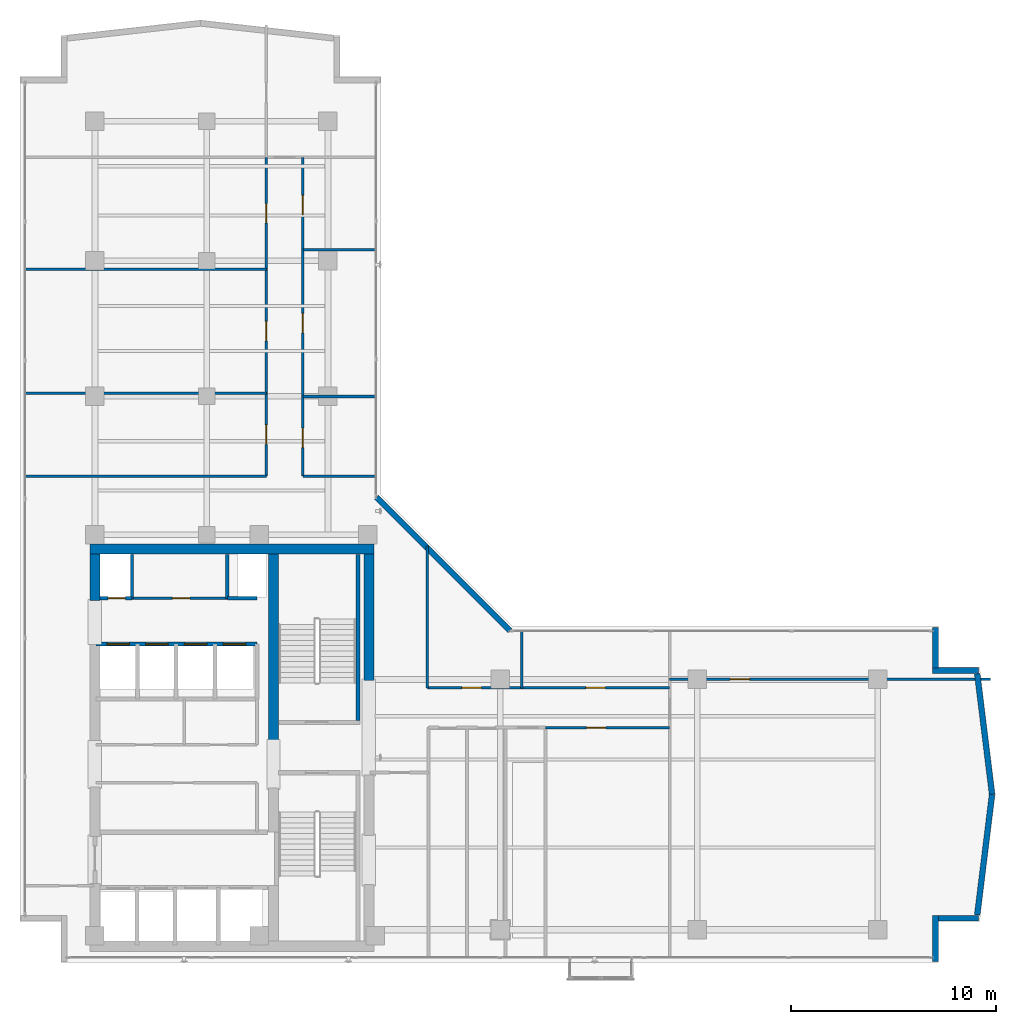
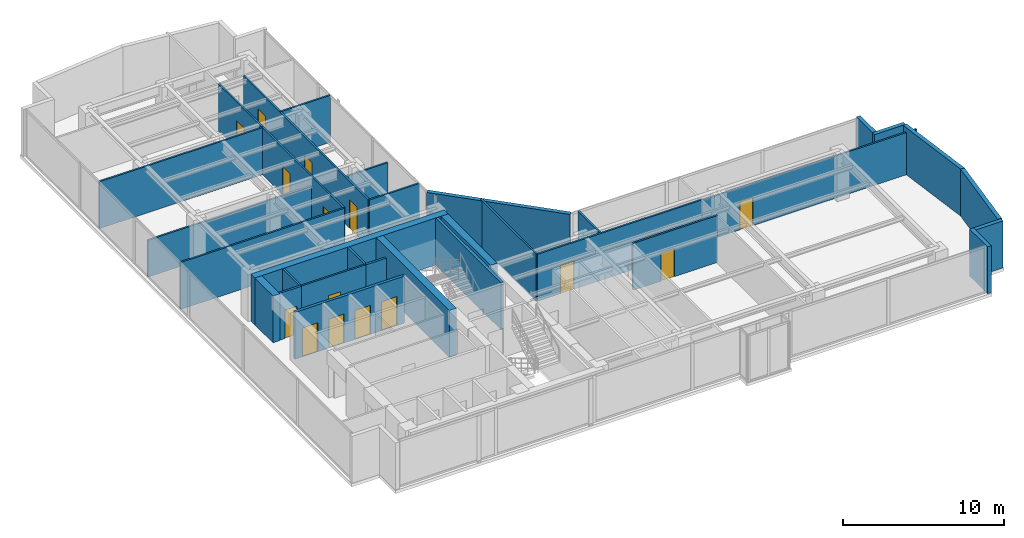
# One storey, part 18 of 22: 31 walls, 16 doors, 16 openings.
"""IFC4 building model written with IfcOpenShell, lengths in metres."""

from ifc_helpers import new_model, si_unit, direction, frame, frame_2d, origin, place, context, subcontext, project, spatial, rectangle, extrude, material, layer, layer_set, type_object, element, fill, save


model = new_model("IFC4")

# Units and contexts
model_context = context("Model", 3, precision=1e-05, world=origin(), true_north=direction((0.0, 1.0)))
body_context = subcontext(model_context, "Body", "Model", "MODEL_VIEW")
ifc_project = project(units=[si_unit("LENGTHUNIT", "METRE"), si_unit("AREAUNIT", "SQUARE_METRE"), si_unit("VOLUMEUNIT", "CUBIC_METRE"), si_unit("PLANEANGLEUNIT", "RADIAN"), si_unit("MASSUNIT", "GRAM", prefix="KILO")], contexts=[model_context])

# Site, building, storey
site_placement = place(None, origin())
site = spatial("IfcSite", under=ifc_project, at=site_placement, CompositionType="ELEMENT")
building_placement = place(site_placement, origin())
building = spatial("IfcBuilding", under=site, at=building_placement, Name="Kolvaren Waterfront Exchange", CompositionType="ELEMENT")
storey_placement = place(building_placement, frame((0.0, 0.0, 266.60009765625)))
storey = spatial("IfcBuildingStorey", under=building, at=storey_placement, Name="L68", CompositionType="ELEMENT", Elevation=266.60009765625)

# Walls
ifc_material_1 = material(Name="Precast concrete C40/50", Category="concrete")
ifc_layer_1 = layer(ifc_material_1, 0.280029296875, Name="Precast concrete C40/50")
ifc_layer_set_1 = layer_set([ifc_layer_1], Name="Precast concrete C40/50")
wall_type_1 = type_object("IfcWallType", Name="ARC-EXT-TERR-280", PredefinedType="SOLIDWALL", material=ifc_layer_set_1)
wall_1_placement = place(storey_placement, frame((48.4033203125, 3.659912109375, 0.0), z_axis=(0.0, 0.0, 1.0), x_axis=(0.0, 1.0, 0.0)))
element("IfcWall", 1, at=wall_1_placement, inside=storey, type_object=wall_type_1, Name="L68 notched corner spandrel pier SE-A", PredefinedType="SOLIDWALL", context=body_context, shape_type="SweptSolid", body=[
    extrude(rectangle(XDim=2.239990234375, YDim=0.280029296875, at=frame_2d((1.1201171875, 0.0))), origin(), (0.0, 0.0, 1.0), 3.559814453125),
])
wall_2_placement = place(storey_placement, frame((48.543212890625, 5.760009765625, 0.0), z_axis=(0.0, 0.0, 1.0), x_axis=(1.0, 0.0, 0.0)))
element("IfcWall", 2, at=wall_2_placement, inside=storey, type_object=wall_type_1, Name="L68 notched corner spandrel pier SE-B", PredefinedType="SOLIDWALL", context=body_context, shape_type="SweptSolid", body=[
    extrude(rectangle(XDim=1.9599609375, YDim=0.280029296875, at=frame_2d((0.97998046875, 0.0))), origin(), (0.0, 0.0, 1.0), 3.559814453125),
])
wall_3_placement = place(storey_placement, frame((48.4033203125, 17.95458984375, 0.0), z_axis=(0.0, 0.0, 1.0), x_axis=(0.0, 1.0, 0.0)))
element("IfcWall", 3, at=wall_3_placement, inside=storey, type_object=wall_type_1, Name="L68 notched corner spandrel pier ENE-A", PredefinedType="SOLIDWALL", context=body_context, shape_type="SweptSolid", body=[
    extrude(rectangle(XDim=1.974853515625, YDim=0.280029296875, at=frame_2d((0.9873046875, 0.0))), origin(), (0.0, 0.0, 1.0), 3.559814453125),
])
wall_4_placement = place(storey_placement, frame((48.26318359375, 17.82958984375, 0.0), z_axis=(0.0, 0.0, 1.0), x_axis=(1.0, 0.0, 0.0)))
element("IfcWall", 4, at=wall_4_placement, inside=storey, type_object=wall_type_1, Name="L68 notched corner spandrel pier ENE-B", PredefinedType="SOLIDWALL", context=body_context, shape_type="SweptSolid", body=[
    extrude(rectangle(XDim=2.239990234375, YDim=0.280029296875, at=frame_2d((1.1201171875, 0.0))), origin(), (0.0, 0.0, 1.0), 3.559814453125),
])
wall_5_placement = place(storey_placement, frame((27.674560546875, 19.764404296875, 0.0), z_axis=(0.0, 0.0, 1.0), x_axis=(-0.707106781187, 0.707106781187, 0.0)))
element("IfcWall", 5, at=wall_5_placement, inside=storey, type_object=wall_type_1, Name="L68 notched corner spandrel pier ELBOW", PredefinedType="SOLIDWALL", context=body_context, shape_type="SweptSolid", body=[
    extrude(rectangle(XDim=9.20654296875, YDim=0.280029296875, at=frame_2d((4.603271484375, 0.0))), origin(), (0.0, 0.0, 1.0), 3.559814453125),
])
wall_6_placement = place(storey_placement, frame((50.441162109375, 5.917236328125, 0.0), z_axis=(0.0, 0.0, 1.0), x_axis=(0.122283913405, 0.992495160957, 0.0)))
element("IfcWall", 6, at=wall_6_placement, inside=storey, type_object=wall_type_1, Name="L68 east prow faceted facade wall 1", PredefinedType="SOLIDWALL", context=body_context, shape_type="SweptSolid", body=[
    extrude(rectangle(XDim=5.921630859375, YDim=0.280029296875, at=frame_2d((2.9609375, 0.0))), origin(), (0.0, 0.0, 1.0), 3.559814453125),
])
wall_7_placement = place(storey_placement, frame((51.165283203125, 11.795166015625, 0.0), z_axis=(0.0, 0.0, 1.0), x_axis=(-0.122288917362, 0.992494544413, 0.0)))
element("IfcWall", 7, at=wall_7_placement, inside=storey, type_object=wall_type_1, Name="L68 east prow faceted facade wall 2", PredefinedType="SOLIDWALL", context=body_context, shape_type="SweptSolid", body=[
    extrude(rectangle(XDim=5.92138671875, YDim=0.280029296875, at=frame_2d((2.960693359375, 0.0))), origin(), (0.0, 0.0, 1.0), 3.559814453125),
])

# Wall, opening, door
ifc_material_2 = material(Name="Acoustic gypsum steel stud", Category="steel")
ifc_layer_2 = layer(ifc_material_2, 0.125, Name="Acoustic gypsum steel stud")
ifc_layer_set_2 = layer_set([ifc_layer_2], Name="Acoustic gypsum steel stud")
wall_type_2 = type_object("IfcWallType", Name="ARC-PART-125", PredefinedType="PARTITIONING", material=ifc_layer_set_2)
wall_8_placement = place(storey_placement, frame((9.25, 21.35009765625, 0.0), z_axis=(0.0, 0.0, 1.0), x_axis=(1.0, 0.0, 0.0)))
wall_8 = element("IfcWall", 8, at=wall_8_placement, inside=storey, type_object=wall_type_2, Name="L68 interior wall PW-L68-SVC-HI-S", PredefinedType="PARTITIONING", context=body_context, shape_type="SweptSolid", body=[
    extrude(rectangle(XDim=4.64990234375, YDim=0.125, at=frame_2d((2.324951171875, 0.0))), origin(), (0.0, 0.0, 1.0), 3.559814453125),
])
opening_1_placement = place(wall_8_placement, frame((1.971435546875, 0.0, 0.0)))
opening_1 = element("IfcOpeningElement", 9, at=opening_1_placement, cuts=wall_8, Name="Opening D01", PredefinedType="OPENING", context=body_context, shape_type="SweptSolid", body=[
    extrude(rectangle(XDim=0.85009765625, YDim=2.14990234375, at=frame_2d((0.425048828125, 1.074951171875))), frame((0.0, 0.072509765625, 0.0), z_axis=(0.0, -1.0, 0.0), x_axis=(1.0, 0.0, 0.0)), (0.0, 0.0, 1.0), 0.14501953125),
])
ifc_material_3 = material(Name="Oak veneer timber leaf", Category="wood")
door_type_1 = type_object("IfcDoorType", Name="ARC-DR-900", OperationType="NOTDEFINED", PredefinedType="DOOR", material=ifc_material_3)
door_1_placement = place(opening_1_placement, origin())
door_1 = element("IfcDoor", 10, at=door_1_placement, inside=storey, type_object=door_type_1, Name="L68 door DR-L68-SVC-DR-1 (D01)", OperationType="SINGLE_SWING_RIGHT", OverallHeight=2.14990234375, OverallWidth=0.85009765625, PredefinedType="DOOR", context=body_context, shape_type="SweptSolid", body=[
    extrude(rectangle(XDim=0.85009765625, YDim=2.14990234375, at=frame_2d((0.425048828125, 1.074951171875))), frame((0.0, 0.02490234375, 0.0), z_axis=(0.0, -1.0, 0.0), x_axis=(1.0, 0.0, 0.0)), (0.0, 0.0, 1.0), 0.050048828125),
])
fill(opening_1, door_1)

wall_9_placement = place(storey_placement, frame((29.39990234375, 15.050048828125, 0.0), z_axis=(0.0, 0.0, 1.0), x_axis=(1.0, 0.0, 0.0)))
wall_9 = element("IfcWall", 11, at=wall_9_placement, inside=storey, type_object=wall_type_2, Name="L68 interior wall PW-L68-ES-CORR", PredefinedType="PARTITIONING", context=body_context, shape_type="SweptSolid", body=[
    extrude(rectangle(XDim=6.050048828125, YDim=0.125, at=frame_2d((3.02490234375, 0.0))), origin(), (0.0, 0.0, 1.0), 3.559814453125),
])
opening_2_placement = place(wall_9_placement, frame((2.002197265625, 0.0, 0.0)))
opening_2 = element("IfcOpeningElement", 12, at=opening_2_placement, cuts=wall_9, Name="Opening D02", PredefinedType="OPENING", context=body_context, shape_type="SweptSolid", body=[
    extrude(rectangle(XDim=0.949951171875, YDim=2.14990234375, at=frame_2d((0.47509765625, 1.074951171875))), frame((0.0, 0.072509765625, 0.0), z_axis=(0.0, -1.0, 0.0), x_axis=(1.0, 0.0, 0.0)), (0.0, 0.0, 1.0), 0.14501953125),
])
ifc_material_4 = material(Name="Oak veneer acoustic timber", Category="wood")
door_type_2 = type_object("IfcDoorType", Name="ARC-DR-950", OperationType="NOTDEFINED", PredefinedType="DOOR", material=ifc_material_4)
door_2_placement = place(opening_2_placement, origin())
door_2 = element("IfcDoor", 13, at=door_2_placement, inside=storey, type_object=door_type_2, Name="L68 door DR-L68-ES-D-1 (D02)", OperationType="SINGLE_SWING_RIGHT", OverallHeight=2.14990234375, OverallWidth=0.949951171875, PredefinedType="DOOR", context=body_context, shape_type="SweptSolid", body=[
    extrude(rectangle(XDim=0.949951171875, YDim=2.14990234375, at=frame_2d((0.47509765625, 1.074951171875))), frame((0.0, 0.02490234375, 0.0), z_axis=(0.0, -1.0, 0.0), x_axis=(1.0, 0.0, 0.0)), (0.0, 0.0, 1.0), 0.050048828125),
])
fill(opening_2, door_2)

wall_10_placement = place(storey_placement, frame((35.449951171875, 17.39990234375, 0.0), z_axis=(0.0, 0.0, 1.0), x_axis=(1.0, 0.0, 0.0)))
wall_10 = element("IfcWall", 14, at=wall_10_placement, inside=storey, type_object=wall_type_2, Name="L68 interior wall PW-L68-ETIP-MID", PredefinedType="PARTITIONING", context=body_context, shape_type="SweptSolid", body=[
    extrude(rectangle(XDim=15.636474609375, YDim=0.125, at=frame_2d((7.818359375, 0.0))), origin(), (0.0, 0.0, 1.0), 3.199951171875),
])
opening_3_placement = place(wall_10_placement, frame((2.949951171875, 0.0, 0.0)))
opening_3 = element("IfcOpeningElement", 15, at=opening_3_placement, cuts=wall_10, Name="Opening D02", PredefinedType="OPENING", context=body_context, shape_type="SweptSolid", body=[
    extrude(rectangle(XDim=0.949951171875, YDim=2.14990234375, at=frame_2d((0.47509765625, 1.074951171875))), frame((0.0, 0.072509765625, 0.0), z_axis=(0.0, -1.0, 0.0), x_axis=(1.0, 0.0, 0.0)), (0.0, 0.0, 1.0), 0.14501953125),
])
door_3_placement = place(opening_3_placement, origin())
door_3 = element("IfcDoor", 16, at=door_3_placement, inside=storey, type_object=door_type_2, Name="L68 door DR-L68-ETIP2-D (D02)", OperationType="SINGLE_SWING_RIGHT", OverallHeight=2.14990234375, OverallWidth=0.949951171875, PredefinedType="DOOR", context=body_context, shape_type="SweptSolid", body=[
    extrude(rectangle(XDim=0.949951171875, YDim=2.14990234375, at=frame_2d((0.47509765625, 1.074951171875))), frame((0.0, 0.02490234375, 0.0), z_axis=(0.0, -1.0, 0.0), x_axis=(1.0, 0.0, 0.0)), (0.0, 0.0, 1.0), 0.050048828125),
])
fill(opening_3, door_3)

# Wall
wall_11_placement = place(storey_placement, frame((23.64990234375, 16.989990234375, 0.0), z_axis=(0.0, 0.0, 1.0), x_axis=(0.0, 1.0, 0.0)))
element("IfcWall", 17, at=wall_11_placement, inside=storey, type_object=wall_type_2, Name="L68 interior wall PW-L68-EN-W0", PredefinedType="PARTITIONING", context=body_context, shape_type="SweptSolid", body=[
    extrude(rectangle(XDim=6.89892578125, YDim=0.125, at=frame_2d((3.449462890625, 0.0))), origin(), (0.0, 0.0, 1.0), 3.559814453125),
])

# Wall, openings, doors
wall_12_placement = place(storey_placement, frame((23.64990234375, 16.989990234375, 0.0), z_axis=(0.0, 0.0, 1.0), x_axis=(1.0, 0.0, 0.0)))
wall_12 = element("IfcWall", 18, at=wall_12_placement, inside=storey, type_object=wall_type_2, Name="L68 interior wall PW-L68-EN-CORR", PredefinedType="PARTITIONING", context=body_context, shape_type="SweptSolid", body=[
    extrude(rectangle(XDim=11.800048828125, YDim=0.125, at=frame_2d((5.89990234375, 0.0))), origin(), (0.0, 0.0, 1.0), 3.559814453125),
])
opening_4_placement = place(wall_12_placement, frame((1.6826171875, 0.0, 0.0)))
opening_4 = element("IfcOpeningElement", 19, at=opening_4_placement, cuts=wall_12, Name="Opening D02", PredefinedType="OPENING", context=body_context, shape_type="SweptSolid", body=[
    extrude(rectangle(XDim=0.949951171875, YDim=2.14990234375, at=frame_2d((0.47509765625, 1.074951171875))), frame((0.0, 0.072509765625, 0.0), z_axis=(0.0, -1.0, 0.0), x_axis=(1.0, 0.0, 0.0)), (0.0, 0.0, 1.0), 0.14501953125),
])
opening_5_placement = place(wall_12_placement, frame((7.72509765625, 0.0, 0.0)))
opening_5 = element("IfcOpeningElement", 20, at=opening_5_placement, cuts=wall_12, Name="Opening D02", PredefinedType="OPENING", context=body_context, shape_type="SweptSolid", body=[
    extrude(rectangle(XDim=0.949951171875, YDim=2.14990234375, at=frame_2d((0.47509765625, 1.074951171875))), frame((0.0, 0.072509765625, 0.0), z_axis=(0.0, -1.0, 0.0), x_axis=(1.0, 0.0, 0.0)), (0.0, 0.0, 1.0), 0.14501953125),
])
door_4_placement = place(opening_4_placement, origin())
door_4 = element("IfcDoor", 21, at=door_4_placement, inside=storey, type_object=door_type_2, Name="L68 door DR-L68-EN-D-1 (D02)", OperationType="SINGLE_SWING_LEFT", OverallHeight=2.14990234375, OverallWidth=0.949951171875, PredefinedType="DOOR", context=body_context, shape_type="SweptSolid", body=[
    extrude(rectangle(XDim=0.949951171875, YDim=2.14990234375, at=frame_2d((0.47509765625, 1.074951171875))), frame((0.0, 0.02490234375, 0.0), z_axis=(0.0, -1.0, 0.0), x_axis=(1.0, 0.0, 0.0)), (0.0, 0.0, 1.0), 0.050048828125),
])
fill(opening_4, door_4)
door_5_placement = place(opening_5_placement, origin())
door_5 = element("IfcDoor", 22, at=door_5_placement, inside=storey, type_object=door_type_2, Name="L68 door DR-L68-EN-D-2 (D02)", OperationType="SINGLE_SWING_RIGHT", OverallHeight=2.14990234375, OverallWidth=0.949951171875, PredefinedType="DOOR", context=body_context, shape_type="SweptSolid", body=[
    extrude(rectangle(XDim=0.949951171875, YDim=2.14990234375, at=frame_2d((0.47509765625, 1.074951171875))), frame((0.0, 0.02490234375, 0.0), z_axis=(0.0, -1.0, 0.0), x_axis=(1.0, 0.0, 0.0)), (0.0, 0.0, 1.0), 0.050048828125),
])
fill(opening_5, door_5)

# Walls
wall_13_placement = place(storey_placement, frame((28.25, 16.989990234375, 0.0), z_axis=(0.0, 0.0, 1.0), x_axis=(0.0, 1.0, 0.0)))
element("IfcWall", 23, at=wall_13_placement, inside=storey, type_object=wall_type_2, Name="L68 interior wall PW-L68-EN-DIV-1", PredefinedType="PARTITIONING", context=body_context, shape_type="SweptSolid", body=[
    extrude(rectangle(XDim=2.77001953125, YDim=0.125, at=frame_2d((1.385009765625, 0.0))), origin(), (0.0, 0.0, 1.0), 3.559814453125),
])
wall_14_placement = place(storey_placement, frame((4.0400390625, 27.300048828125, 0.0), z_axis=(0.0, 0.0, 1.0), x_axis=(1.0, 0.0, 0.0)))
element("IfcWall", 24, at=wall_14_placement, inside=storey, type_object=wall_type_2, Name="L68 interior wall PW-L68-NW-S0", PredefinedType="PARTITIONING", context=body_context, shape_type="SweptSolid", body=[
    extrude(rectangle(XDim=11.760009765625, YDim=0.125, at=frame_2d((5.8798828125, 0.0))), origin(), (0.0, 0.0, 1.0), 3.559814453125),
])

# Wall, openings, doors
wall_15_placement = place(storey_placement, frame((15.800048828125, 27.300048828125, 0.0), z_axis=(0.0, 0.0, 1.0), x_axis=(0.0, 1.0, 0.0)))
wall_15 = element("IfcWall", 25, at=wall_15_placement, inside=storey, type_object=wall_type_2, Name="L68 interior wall PW-L68-NW-CORR", PredefinedType="PARTITIONING", context=body_context, shape_type="SweptSolid", body=[
    extrude(rectangle(XDim=15.530029296875, YDim=0.125, at=frame_2d((7.76513671875, 0.0))), origin(), (0.0, 0.0, 1.0), 3.559814453125),
])
opening_6_placement = place(wall_15_placement, frame((1.544921875, 0.0, 0.0)))
opening_6 = element("IfcOpeningElement", 26, at=opening_6_placement, cuts=wall_15, Name="Opening D02", PredefinedType="OPENING", context=body_context, shape_type="SweptSolid", body=[
    extrude(rectangle(XDim=0.949951171875, YDim=2.14990234375, at=frame_2d((0.47509765625, 1.074951171875))), frame((0.0, 0.072509765625, 0.0), z_axis=(0.0, -1.0, 0.0), x_axis=(1.0, 0.0, 0.0)), (0.0, 0.0, 1.0), 0.14501953125),
])
opening_7_placement = place(wall_15_placement, frame((6.590087890625, 0.0, 0.0)))
opening_7 = element("IfcOpeningElement", 27, at=opening_7_placement, cuts=wall_15, Name="Opening D02", PredefinedType="OPENING", context=body_context, shape_type="SweptSolid", body=[
    extrude(rectangle(XDim=0.949951171875, YDim=2.14990234375, at=frame_2d((0.47509765625, 1.074951171875))), frame((0.0, 0.072509765625, 0.0), z_axis=(0.0, -1.0, 0.0), x_axis=(1.0, 0.0, 0.0)), (0.0, 0.0, 1.0), 0.14501953125),
])
opening_8_placement = place(wall_15_placement, frame((12.3349609375, 0.0, 0.0)))
opening_8 = element("IfcOpeningElement", 28, at=opening_8_placement, cuts=wall_15, Name="Opening D02", PredefinedType="OPENING", context=body_context, shape_type="SweptSolid", body=[
    extrude(rectangle(XDim=0.949951171875, YDim=2.14990234375, at=frame_2d((0.47509765625, 1.074951171875))), frame((0.0, 0.072509765625, 0.0), z_axis=(0.0, -1.0, 0.0), x_axis=(1.0, 0.0, 0.0)), (0.0, 0.0, 1.0), 0.14501953125),
])
door_6_placement = place(opening_6_placement, origin())
door_6 = element("IfcDoor", 29, at=door_6_placement, inside=storey, type_object=door_type_2, Name="L68 door DR-L68-NW-D-1 (D02)", OperationType="SINGLE_SWING_LEFT", OverallHeight=2.14990234375, OverallWidth=0.949951171875, PredefinedType="DOOR", context=body_context, shape_type="SweptSolid", body=[
    extrude(rectangle(XDim=0.949951171875, YDim=2.14990234375, at=frame_2d((0.47509765625, 1.074951171875))), frame((0.0, 0.02490234375, 0.0), z_axis=(0.0, -1.0, 0.0), x_axis=(1.0, 0.0, 0.0)), (0.0, 0.0, 1.0), 0.050048828125),
])
fill(opening_6, door_6)
door_7_placement = place(opening_7_placement, origin())
door_7 = element("IfcDoor", 30, at=door_7_placement, inside=storey, type_object=door_type_2, Name="L68 door DR-L68-NW-D-2 (D02)", OperationType="SINGLE_SWING_RIGHT", OverallHeight=2.14990234375, OverallWidth=0.949951171875, PredefinedType="DOOR", context=body_context, shape_type="SweptSolid", body=[
    extrude(rectangle(XDim=0.949951171875, YDim=2.14990234375, at=frame_2d((0.47509765625, 1.074951171875))), frame((0.0, 0.02490234375, 0.0), z_axis=(0.0, -1.0, 0.0), x_axis=(1.0, 0.0, 0.0)), (0.0, 0.0, 1.0), 0.050048828125),
])
fill(opening_7, door_7)
door_8_placement = place(opening_8_placement, origin())
door_8 = element("IfcDoor", 31, at=door_8_placement, inside=storey, type_object=door_type_2, Name="L68 door DR-L68-NW-D-3 (D02)", OperationType="SINGLE_SWING_LEFT", OverallHeight=2.14990234375, OverallWidth=0.949951171875, PredefinedType="DOOR", context=body_context, shape_type="SweptSolid", body=[
    extrude(rectangle(XDim=0.949951171875, YDim=2.14990234375, at=frame_2d((0.47509765625, 1.074951171875))), frame((0.0, 0.02490234375, 0.0), z_axis=(0.0, -1.0, 0.0), x_axis=(1.0, 0.0, 0.0)), (0.0, 0.0, 1.0), 0.050048828125),
])
fill(opening_8, door_8)

# Walls
wall_16_placement = place(storey_placement, frame((4.0400390625, 31.340087890625, 0.0), z_axis=(0.0, 0.0, 1.0), x_axis=(1.0, 0.0, 0.0)))
element("IfcWall", 32, at=wall_16_placement, inside=storey, type_object=wall_type_2, Name="L68 interior wall PW-L68-NW-DIV-1", PredefinedType="PARTITIONING", context=body_context, shape_type="SweptSolid", body=[
    extrude(rectangle(XDim=11.760009765625, YDim=0.125, at=frame_2d((5.8798828125, 0.0))), origin(), (0.0, 0.0, 1.0), 2.7978515625),
])
wall_17_placement = place(storey_placement, frame((4.0400390625, 37.389892578125, 0.0), z_axis=(0.0, 0.0, 1.0), x_axis=(1.0, 0.0, 0.0)))
element("IfcWall", 33, at=wall_17_placement, inside=storey, type_object=wall_type_2, Name="L68 interior wall PW-L68-NW-DIV-2", PredefinedType="PARTITIONING", context=body_context, shape_type="SweptSolid", body=[
    extrude(rectangle(XDim=11.760009765625, YDim=0.125, at=frame_2d((5.8798828125, 0.0))), origin(), (0.0, 0.0, 1.0), 3.559814453125),
])
wall_18_placement = place(storey_placement, frame((17.580078125, 27.300048828125, 0.0), z_axis=(0.0, 0.0, 1.0), x_axis=(1.0, 0.0, 0.0)))
element("IfcWall", 34, at=wall_18_placement, inside=storey, type_object=wall_type_2, Name="L68 interior wall PW-L68-NE-S0", PredefinedType="PARTITIONING", context=body_context, shape_type="SweptSolid", body=[
    extrude(rectangle(XDim=3.579833984375, YDim=0.125, at=frame_2d((1.7900390625, 0.0))), origin(), (0.0, 0.0, 1.0), 3.559814453125),
])

# Wall, openings, doors
wall_19_placement = place(storey_placement, frame((17.580078125, 27.300048828125, 0.0), z_axis=(0.0, 0.0, 1.0), x_axis=(0.0, 1.0, 0.0)))
wall_19 = element("IfcWall", 35, at=wall_19_placement, inside=storey, type_object=wall_type_2, Name="L68 interior wall PW-L68-NE-CORR", PredefinedType="PARTITIONING", context=body_context, shape_type="SweptSolid", body=[
    extrude(rectangle(XDim=15.530029296875, YDim=0.125, at=frame_2d((7.76513671875, 0.0))), origin(), (0.0, 0.0, 1.0), 3.559814453125),
])
opening_9_placement = place(wall_19_placement, frame((1.39404296875, 0.0, 0.0)))
opening_9 = element("IfcOpeningElement", 36, at=opening_9_placement, cuts=wall_19, Name="Opening D02", PredefinedType="OPENING", context=body_context, shape_type="SweptSolid", body=[
    extrude(rectangle(XDim=0.949951171875, YDim=2.14990234375, at=frame_2d((0.47509765625, 1.074951171875))), frame((0.0, 0.072509765625, 0.0), z_axis=(0.0, -1.0, 0.0), x_axis=(1.0, 0.0, 0.0)), (0.0, 0.0, 1.0), 0.14501953125),
])
opening_10_placement = place(wall_19_placement, frame((6.97998046875, 0.0, 0.0)))
opening_10 = element("IfcOpeningElement", 37, at=opening_10_placement, cuts=wall_19, Name="Opening D02", PredefinedType="OPENING", context=body_context, shape_type="SweptSolid", body=[
    extrude(rectangle(XDim=0.949951171875, YDim=2.14990234375, at=frame_2d((0.47509765625, 1.074951171875))), frame((0.0, 0.072509765625, 0.0), z_axis=(0.0, -1.0, 0.0), x_axis=(1.0, 0.0, 0.0)), (0.0, 0.0, 1.0), 0.14501953125),
])
opening_11_placement = place(wall_19_placement, frame((12.732666015625, 0.0, 0.0)))
opening_11 = element("IfcOpeningElement", 38, at=opening_11_placement, cuts=wall_19, Name="Opening D02", PredefinedType="OPENING", context=body_context, shape_type="SweptSolid", body=[
    extrude(rectangle(XDim=0.949951171875, YDim=2.14990234375, at=frame_2d((0.47509765625, 1.074951171875))), frame((0.0, 0.072509765625, 0.0), z_axis=(0.0, -1.0, 0.0), x_axis=(1.0, 0.0, 0.0)), (0.0, 0.0, 1.0), 0.14501953125),
])
door_9_placement = place(opening_9_placement, origin())
door_9 = element("IfcDoor", 39, at=door_9_placement, inside=storey, type_object=door_type_2, Name="L68 door DR-L68-NE-D-1 (D02)", OperationType="SINGLE_SWING_RIGHT", OverallHeight=2.14990234375, OverallWidth=0.949951171875, PredefinedType="DOOR", context=body_context, shape_type="SweptSolid", body=[
    extrude(rectangle(XDim=0.949951171875, YDim=2.14990234375, at=frame_2d((0.47509765625, 1.074951171875))), frame((0.0, 0.02490234375, 0.0), z_axis=(0.0, -1.0, 0.0), x_axis=(1.0, 0.0, 0.0)), (0.0, 0.0, 1.0), 0.050048828125),
])
fill(opening_9, door_9)
door_10_placement = place(opening_10_placement, origin())
door_10 = element("IfcDoor", 40, at=door_10_placement, inside=storey, type_object=door_type_2, Name="L68 door DR-L68-NE-D-2 (D02)", OperationType="SINGLE_SWING_LEFT", OverallHeight=2.14990234375, OverallWidth=0.949951171875, PredefinedType="DOOR", context=body_context, shape_type="SweptSolid", body=[
    extrude(rectangle(XDim=0.949951171875, YDim=2.14990234375, at=frame_2d((0.47509765625, 1.074951171875))), frame((0.0, 0.02490234375, 0.0), z_axis=(0.0, -1.0, 0.0), x_axis=(1.0, 0.0, 0.0)), (0.0, 0.0, 1.0), 0.050048828125),
])
fill(opening_10, door_10)
door_11_placement = place(opening_11_placement, origin())
door_11 = element("IfcDoor", 41, at=door_11_placement, inside=storey, type_object=door_type_2, Name="L68 door DR-L68-NE-D-3 (D02)", OperationType="SINGLE_SWING_RIGHT", OverallHeight=2.14990234375, OverallWidth=0.949951171875, PredefinedType="DOOR", context=body_context, shape_type="SweptSolid", body=[
    extrude(rectangle(XDim=0.949951171875, YDim=2.14990234375, at=frame_2d((0.47509765625, 1.074951171875))), frame((0.0, 0.02490234375, 0.0), z_axis=(0.0, -1.0, 0.0), x_axis=(1.0, 0.0, 0.0)), (0.0, 0.0, 1.0), 0.050048828125),
])
fill(opening_11, door_11)

# Walls
wall_20_placement = place(storey_placement, frame((17.580078125, 31.179931640625, 0.0), z_axis=(0.0, 0.0, 1.0), x_axis=(1.0, 0.0, 0.0)))
element("IfcWall", 42, at=wall_20_placement, inside=storey, type_object=wall_type_2, Name="L68 interior wall PW-L68-NE-DIV-1", PredefinedType="PARTITIONING", context=body_context, shape_type="SweptSolid", body=[
    extrude(rectangle(XDim=3.579833984375, YDim=0.125, at=frame_2d((1.7900390625, 0.0))), origin(), (0.0, 0.0, 1.0), 2.7978515625),
])
wall_21_placement = place(storey_placement, frame((17.580078125, 38.330078125, 0.0), z_axis=(0.0, 0.0, 1.0), x_axis=(1.0, 0.0, 0.0)))
element("IfcWall", 43, at=wall_21_placement, inside=storey, type_object=wall_type_2, Name="L68 interior wall PW-L68-NE-DIV-2", PredefinedType="PARTITIONING", context=body_context, shape_type="SweptSolid", body=[
    extrude(rectangle(XDim=3.579833984375, YDim=0.125, at=frame_2d((1.7900390625, 0.0))), origin(), (0.0, 0.0, 1.0), 3.559814453125),
])
ifc_material_5 = material(Name="Gypsum fireboard steel stud", Category="steel")
ifc_layer_3 = layer(ifc_material_5, 0.14990234375, Name="Gypsum fireboard steel stud")
ifc_layer_set_3 = layer_set([ifc_layer_3], Name="Gypsum fireboard steel stud")
wall_type_3 = type_object("IfcWallType", Name="ARC-PART-150", PredefinedType="PARTITIONING", material=ifc_layer_set_3)
for number, where, z_axis, x_axis, name in (
    (44, (9.25, 21.35009765625, 0.0), (0.0, 0.0, 1.0), (0.0, 1.0, 0.0), "L68 interior wall PW-L68-SVC-R1"),
    (45, (13.89990234375, 21.35009765625, 0.0), (0.0, 0.0, 1.0), (0.0, 1.0, 0.0), "L68 interior wall PW-L68-SVC-R2"),
):
    element("IfcWall", number, at=place(storey_placement, frame(where, z_axis=z_axis, x_axis=x_axis)), inside=storey, type_object=wall_type_3, Name=name, PredefinedType="PARTITIONING", context=body_context, shape_type="SweptSolid", body=[
        extrude(rectangle(XDim=2.1298828125, YDim=0.14990234375, at=frame_2d((1.06494140625, 0.0))), origin(), (0.0, 0.0, 1.0), 3.559814453125),
    ])

# Wall, opening, door
wall_22_placement = place(storey_placement, frame((7.699951171875, 21.35009765625, 0.0), z_axis=(0.0, 0.0, 1.0), x_axis=(1.0, 0.0, 0.0)))
wall_22 = element("IfcWall", 46, at=wall_22_placement, inside=storey, type_object=wall_type_3, Name="L68 interior wall PW-L68-SVC-RE-S", PredefinedType="PARTITIONING", context=body_context, shape_type="SweptSolid", body=[
    extrude(rectangle(XDim=1.550048828125, YDim=0.14990234375, at=frame_2d((0.77490234375, 0.0))), origin(), (0.0, 0.0, 1.0), 3.559814453125),
])
opening_12_placement = place(wall_22_placement, frame((0.389892578125, 0.0, 0.0)))
opening_12 = element("IfcOpeningElement", 47, at=opening_12_placement, cuts=wall_22, Name="Opening FD1", PredefinedType="OPENING", context=body_context, shape_type="SweptSolid", body=[
    extrude(rectangle(XDim=0.85009765625, YDim=2.14990234375, at=frame_2d((0.425048828125, 1.074951171875))), frame((0.0, 0.0849609375, 0.0), z_axis=(0.0, -1.0, 0.0), x_axis=(1.0, 0.0, 0.0)), (0.0, 0.0, 1.0), 0.169921875),
])
ifc_material_6 = material(Name="Pressed steel fire leaf", Category="steel")
door_type_3 = type_object("IfcDoorType", Name="ARC-FD-900", OperationType="NOTDEFINED", PredefinedType="DOOR", material=ifc_material_6)
door_12_placement = place(opening_12_placement, origin())
door_12 = element("IfcDoor", 48, at=door_12_placement, inside=storey, type_object=door_type_3, Name="L68 door DR-L68-RISER-E-DR (FD1)", OperationType="SINGLE_SWING_LEFT", OverallHeight=2.14990234375, OverallWidth=0.85009765625, PredefinedType="DOOR", context=body_context, shape_type="SweptSolid", body=[
    extrude(rectangle(XDim=0.85009765625, YDim=2.14990234375, at=frame_2d((0.425048828125, 1.074951171875))), frame((0.0, 0.02490234375, 0.0), z_axis=(0.0, -1.0, 0.0), x_axis=(1.0, 0.0, 0.0)), (0.0, 0.0, 1.0), 0.050048828125),
])
fill(opening_12, door_12)

# Walls
wall_23_placement = place(storey_placement, frame((13.89990234375, 21.35009765625, 0.0), z_axis=(0.0, 0.0, 1.0), x_axis=(1.0, 0.0, 0.0)))
element("IfcWall", 49, at=wall_23_placement, inside=storey, type_object=wall_type_3, Name="L68 interior wall PW-L68-SVC-RP-S", PredefinedType="PARTITIONING", context=body_context, shape_type="SweptSolid", body=[
    extrude(rectangle(XDim=1.4501953125, YDim=0.14990234375, at=frame_2d((0.72509765625, 0.0))), origin(), (0.0, 0.0, 1.0), 3.559814453125),
])
ifc_material_7 = material(Name="Concrete C40/50", Category="concrete")
ifc_layer_4 = layer(ifc_material_7, 0.199951171875, Name="Concrete C40/50")
ifc_layer_set_4 = layer_set([ifc_layer_4], Name="Concrete C40/50")
wall_type_4 = type_object("IfcWallType", Name="ARC-SHAFT-200", PredefinedType="PARTITIONING", material=ifc_layer_set_4)
wall_24_placement = place(storey_placement, frame((20.260009765625, 15.39990234375, 0.0), z_axis=(0.0, 0.0, 1.0), x_axis=(0.0, 1.0, 0.0)))
element("IfcWall", 50, at=wall_24_placement, inside=storey, type_object=wall_type_4, Name="L68 structural stairwell wall PW-L68-ST2-E", PredefinedType="SHEAR", context=body_context, shape_type="SweptSolid", body=[
    extrude(rectangle(XDim=8.090087890625, YDim=0.199951171875, at=frame_2d((4.044921875, 0.0))), origin(), (0.0, 0.0, 1.0), 3.559814453125),
])

# Wall, openings, doors
wall_25_placement = place(storey_placement, frame((7.5, 19.1201171875, 0.0), z_axis=(0.0, 0.0, 1.0), x_axis=(1.0, 0.0, 0.0)))
wall_25 = element("IfcWall", 51, at=wall_25_placement, inside=storey, type_object=wall_type_4, Name="L68 interior wall PW-L68-PH-N", PredefinedType="PARTITIONING", context=body_context, shape_type="SweptSolid", body=[
    extrude(rectangle(XDim=7.85009765625, YDim=0.199951171875, at=frame_2d((3.925048828125, 0.0))), origin(), (0.0, 0.0, 1.0), 3.559814453125),
])
opening_13_placement = place(wall_25_placement, frame((0.530029296875, 0.0, 0.0)))
opening_13 = element("IfcOpeningElement", 52, at=opening_13_placement, cuts=wall_25, Name="Opening LD2", PredefinedType="OPENING", context=body_context, shape_type="SweptSolid", body=[
    extrude(rectangle(XDim=1.10009765625, YDim=2.199951171875, at=frame_2d((0.550048828125, 1.10009765625))), frame((0.0, 0.10986328125, 0.0), z_axis=(0.0, -1.0, 0.0), x_axis=(1.0, 0.0, 0.0)), (0.0, 0.0, 1.0), 0.219970703125),
])
opening_14_placement = place(wall_25_placement, frame((2.419921875, 0.0, 0.0)))
opening_14 = element("IfcOpeningElement", 53, at=opening_14_placement, cuts=wall_25, Name="Opening LD2", PredefinedType="OPENING", context=body_context, shape_type="SweptSolid", body=[
    extrude(rectangle(XDim=1.10009765625, YDim=2.199951171875, at=frame_2d((0.550048828125, 1.10009765625))), frame((0.0, 0.10986328125, 0.0), z_axis=(0.0, -1.0, 0.0), x_axis=(1.0, 0.0, 0.0)), (0.0, 0.0, 1.0), 0.219970703125),
])
opening_15_placement = place(wall_25_placement, frame((4.31005859375, 0.0, 0.0)))
opening_15 = element("IfcOpeningElement", 54, at=opening_15_placement, cuts=wall_25, Name="Opening LD2", PredefinedType="OPENING", context=body_context, shape_type="SweptSolid", body=[
    extrude(rectangle(XDim=1.10009765625, YDim=2.199951171875, at=frame_2d((0.550048828125, 1.10009765625))), frame((0.0, 0.10986328125, 0.0), z_axis=(0.0, -1.0, 0.0), x_axis=(1.0, 0.0, 0.0)), (0.0, 0.0, 1.0), 0.219970703125),
])
opening_16_placement = place(wall_25_placement, frame((6.199951171875, 0.0, 0.0)))
opening_16 = element("IfcOpeningElement", 55, at=opening_16_placement, cuts=wall_25, Name="Opening LD2", PredefinedType="OPENING", context=body_context, shape_type="SweptSolid", body=[
    extrude(rectangle(XDim=1.10009765625, YDim=2.199951171875, at=frame_2d((0.550048828125, 1.10009765625))), frame((0.0, 0.10986328125, 0.0), z_axis=(0.0, -1.0, 0.0), x_axis=(1.0, 0.0, 0.0)), (0.0, 0.0, 1.0), 0.219970703125),
])
ifc_material_8 = material(Name="Brushed bronze sliding landing door", Category="aluminium")
door_type_4 = type_object("IfcDoorType", Name="ARC-LD-PAX", OperationType="SLIDING_TO_LEFT", PredefinedType="DOOR", material=ifc_material_8)
door_13_placement = place(opening_13_placement, origin())
door_13 = element("IfcDoor", 56, at=door_13_placement, inside=storey, type_object=door_type_4, Name="L68 door LD-L68-PH1 (LD2)", OperationType="SLIDING_TO_LEFT", OverallHeight=2.199951171875, OverallWidth=1.10009765625, PredefinedType="DOOR", context=body_context, shape_type="SweptSolid", body=[
    extrude(rectangle(XDim=1.10009765625, YDim=2.199951171875, at=frame_2d((0.550048828125, 1.10009765625))), frame((0.0, 0.02490234375, 0.0), z_axis=(0.0, -1.0, 0.0), x_axis=(1.0, 0.0, 0.0)), (0.0, 0.0, 1.0), 0.050048828125),
])
fill(opening_13, door_13)
door_14_placement = place(opening_14_placement, origin())
door_14 = element("IfcDoor", 57, at=door_14_placement, inside=storey, type_object=door_type_4, Name="L68 door LD-L68-PH2 (LD2)", OperationType="SLIDING_TO_LEFT", OverallHeight=2.199951171875, OverallWidth=1.10009765625, PredefinedType="DOOR", context=body_context, shape_type="SweptSolid", body=[
    extrude(rectangle(XDim=1.10009765625, YDim=2.199951171875, at=frame_2d((0.550048828125, 1.10009765625))), frame((0.0, 0.02490234375, 0.0), z_axis=(0.0, -1.0, 0.0), x_axis=(1.0, 0.0, 0.0)), (0.0, 0.0, 1.0), 0.050048828125),
])
fill(opening_14, door_14)
door_15_placement = place(opening_15_placement, origin())
door_15 = element("IfcDoor", 58, at=door_15_placement, inside=storey, type_object=door_type_4, Name="L68 door LD-L68-PH3 (LD2)", OperationType="SLIDING_TO_LEFT", OverallHeight=2.199951171875, OverallWidth=1.10009765625, PredefinedType="DOOR", context=body_context, shape_type="SweptSolid", body=[
    extrude(rectangle(XDim=1.10009765625, YDim=2.199951171875, at=frame_2d((0.550048828125, 1.10009765625))), frame((0.0, 0.02490234375, 0.0), z_axis=(0.0, -1.0, 0.0), x_axis=(1.0, 0.0, 0.0)), (0.0, 0.0, 1.0), 0.050048828125),
])
fill(opening_15, door_15)
door_16_placement = place(opening_16_placement, origin())
door_16 = element("IfcDoor", 59, at=door_16_placement, inside=storey, type_object=door_type_4, Name="L68 door LD-L68-PH4 (LD2)", OperationType="SLIDING_TO_LEFT", OverallHeight=2.199951171875, OverallWidth=1.10009765625, PredefinedType="DOOR", context=body_context, shape_type="SweptSolid", body=[
    extrude(rectangle(XDim=1.10009765625, YDim=2.199951171875, at=frame_2d((0.550048828125, 1.10009765625))), frame((0.0, 0.02490234375, 0.0), z_axis=(0.0, -1.0, 0.0), x_axis=(1.0, 0.0, 0.0)), (0.0, 0.0, 1.0), 0.050048828125),
])
fill(opening_16, door_16)

# Walls
ifc_material_9 = material(Name="Concrete C50/60", Category="concrete")
ifc_layer_5 = layer(ifc_material_9, 0.5, Name="Concrete C50/60")
ifc_layer_set_5 = layer_set([ifc_layer_5], Name="Concrete C50/60")
wall_type_5 = type_object("IfcWallType", Name="STR-CWALL-500", PredefinedType="SHEAR", material=ifc_layer_set_5)
wall_26_placement = place(storey_placement, frame((7.199951171875, 23.75, 0.0), z_axis=(0.0, 0.0, 1.0), x_axis=(1.0, 0.0, 0.0)))
element("IfcWall", 60, at=wall_26_placement, inside=storey, type_object=wall_type_5, Name="L68 rear-core shear wall N", PredefinedType="SHEAR", context=body_context, shape_type="SweptSolid", body=[
    extrude(rectangle(XDim=13.85009765625, YDim=0.5, at=frame_2d((6.925048828125, 0.0))), origin(), (0.0, 0.0, 1.0), 3.559814453125),
])
wall_27_placement = place(storey_placement, frame((7.449951171875, 21.239990234375, 0.0), z_axis=(0.0, 0.0, 1.0), x_axis=(0.0, 1.0, 0.0)))
element("IfcWall", 61, at=wall_27_placement, inside=storey, type_object=wall_type_5, Name="L68 rear-core shear wall W3", PredefinedType="SHEAR", context=body_context, shape_type="SweptSolid", body=[
    extrude(rectangle(XDim=2.260009765625, YDim=0.5, at=frame_2d((1.1298828125, 0.0))), origin(), (0.0, 0.0, 1.0), 3.559814453125),
])
wall_28_placement = place(storey_placement, frame((20.800048828125, 17.35009765625, 0.0), z_axis=(0.0, 0.0, 1.0), x_axis=(0.0, 1.0, 0.0)))
element("IfcWall", 62, at=wall_28_placement, inside=storey, type_object=wall_type_5, Name="L68 rear-core shear wall E3", PredefinedType="SHEAR", context=body_context, shape_type="SweptSolid", body=[
    extrude(rectangle(XDim=6.14990234375, YDim=0.5, at=frame_2d((3.074951171875, 0.0))), origin(), (0.0, 0.0, 1.0), 3.559814453125),
])
wall_29_placement = place(storey_placement, frame((16.14990234375, 14.39990234375, 0.0), z_axis=(0.0, 0.0, 1.0), x_axis=(0.0, 1.0, 0.0)))
element("IfcWall", 63, at=wall_29_placement, inside=storey, type_object=wall_type_5, Name="L68 rear-core shear wall M3", PredefinedType="SHEAR", context=body_context, shape_type="SweptSolid", body=[
    extrude(rectangle(XDim=9.10009765625, YDim=0.5, at=frame_2d((4.550048828125, 0.0))), origin(), (0.0, 0.0, 1.0), 3.559814453125),
])

save(model, "model.ifc")
